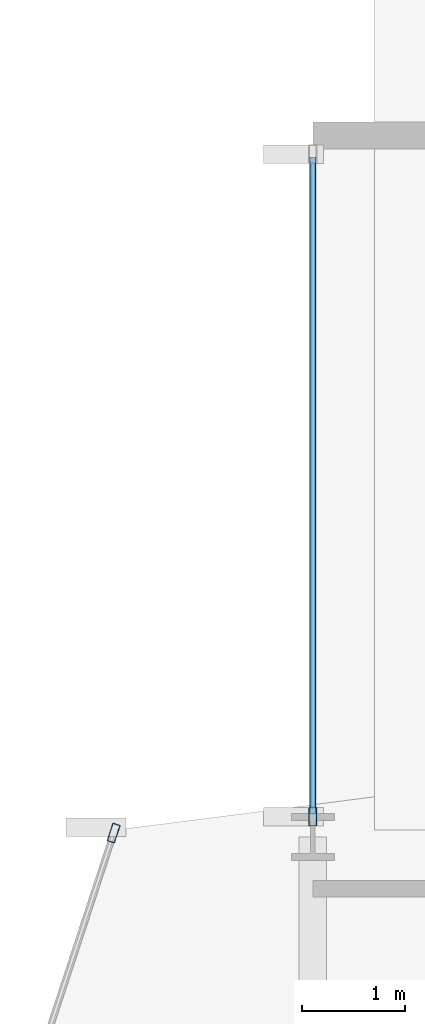
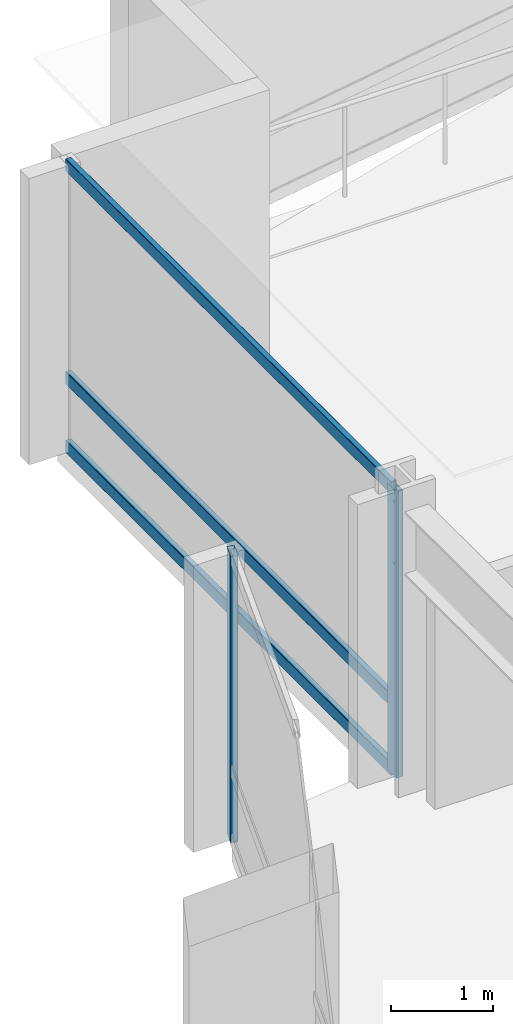
# One storey, part 16 of 28: 5 members, 2 elements without a shape of their own.
"""IFC4 building model written with IfcOpenShell, lengths in metres."""

from ifc_helpers import new_model, si_unit, direction, frame, origin, origin_2d, place, context, subcontext, project, spatial, hollow_rectangle, extrude, material, layer, layer_set, material_profile, profile_set, type_object, element, aggregate, save


model = new_model("IFC4")

# Units and contexts
model_context = context("Model", 3, precision=1e-05, world=origin(), true_north=direction((0.0, 1.0)))
body_context = subcontext(model_context, "Body", "Model", "MODEL_VIEW")
ifc_project = project(units=[si_unit("LENGTHUNIT", "METRE"), si_unit("AREAUNIT", "SQUARE_METRE"), si_unit("VOLUMEUNIT", "CUBIC_METRE"), si_unit("PLANEANGLEUNIT", "RADIAN"), si_unit("MASSUNIT", "GRAM", prefix="KILO")], contexts=[model_context])

# Site, building, storey
site_placement = place(None, origin())
site = spatial("IfcSite", under=ifc_project, at=site_placement, CompositionType="ELEMENT")
building_placement = place(site_placement, origin())
building = spatial("IfcBuilding", under=site, at=building_placement, Name="Solvaryn Broadcast Tower", CompositionType="ELEMENT")
storey_placement = place(building_placement, frame((0.0, 0.0, 110.0)))
storey = spatial("IfcBuildingStorey", under=building, at=storey_placement, Name="L26", CompositionType="ELEMENT", Elevation=110.0)

# Curtain wall, member
ifc_material_1 = material(Name="Aluminium and Terracotta Unitised Curtain Wall", Category="masonry")
ifc_layer = layer(ifc_material_1, 0.199951171875)
ifc_layer_set = layer_set([ifc_layer], Name="CW-SYS2-LOWMID")
curtain_wall_type = type_object("IfcCurtainWallType", Name="CW-SYS2-LOWMID", PredefinedType="NOTDEFINED", material=ifc_layer_set)
curtain_wall_1_placement = place(storey_placement, origin())
curtain_wall_1 = element("IfcCurtainWall", 1, at=curtain_wall_1_placement, inside=storey, type_object=curtain_wall_type, Name="L26 Curtain Wall DR1", PredefinedType="NOTDEFINED")
ifc_material_2 = material(Name="Anodised Aluminium 6063-T6", Category="aluminium")
ifc_material_profile_1 = material_profile(ifc_material_2, hollow_rectangle(XDim=0.074951171875, YDim=0.179931640625, WallThickness=0.00390625, InnerFilletRadius=0.00390625, OuterFilletRadius=0.008056640625, at=origin_2d()))
ifc_profile_set_1 = profile_set([ifc_material_profile_1], Name="Anodised Aluminium 6063-T6")
member_type_1 = type_object("IfcMemberType", Name="CW-MUL-180", PredefinedType="MULLION", material=ifc_profile_set_1)
member_1_placement = place(storey_placement, frame((7.069580078125, 45.03857421875, 0.0), z_axis=(0.0, 0.0, 1.0), x_axis=(0.950198260794, -0.311646057547, 0.0)))
member_1 = element("IfcMember", 2, at=member_1_placement, type_object=member_type_1, Name="CWS2 mullion 1", PredefinedType="MULLION", context=body_context, shape_type="SweptSolid", body=[
    extrude(hollow_rectangle(XDim=0.074951171875, YDim=0.179931640625, WallThickness=0.00390625, InnerFilletRadius=0.00390625, OuterFilletRadius=0.008056640625, at=origin_2d()), origin(), (0.0, 0.0, 1.0), 3.419921875),
])
aggregate(curtain_wall_1, [member_1])

# Curtain wall, members
curtain_wall_2_placement = place(storey_placement, origin())
curtain_wall_2 = element("IfcCurtainWall", 3, at=curtain_wall_2_placement, inside=storey, type_object=curtain_wall_type, Name="L26 Curtain Wall W2", PredefinedType="NOTDEFINED")
member_2_placement = place(storey_placement, frame((9.0, 45.197021484375, 0.0), z_axis=(0.0, 0.0, 1.0), x_axis=(-1.0, 0.0, 0.0)))
member_2 = element("IfcMember", 4, at=member_2_placement, type_object=member_type_1, Name="CWS2 mullion 1", PredefinedType="MULLION", context=body_context, shape_type="SweptSolid", body=[
    extrude(hollow_rectangle(XDim=0.074951171875, YDim=0.179931640625, WallThickness=0.00390625, InnerFilletRadius=0.00390625, OuterFilletRadius=0.008056640625, at=origin_2d()), origin(), (0.0, 0.0, 1.0), 3.419921875),
])
ifc_material_3 = material(Name="Anodised Aluminium 6063-T6", Category="aluminium")
ifc_material_profile_2 = material_profile(ifc_material_3, hollow_rectangle(XDim=0.06494140625, YDim=0.14990234375, WallThickness=0.00390625, InnerFilletRadius=0.00390625, OuterFilletRadius=0.008056640625, at=origin_2d()))
ifc_profile_set_2 = profile_set([ifc_material_profile_2], Name="Anodised Aluminium 6063-T6")
member_type_2 = type_object("IfcMemberType", Name="CW-TRN-150", PredefinedType="USERDEFINED", material=ifc_profile_set_2)
member_3_placement = place(storey_placement, frame((9.0, 45.22705078125, 0.030029296875), z_axis=(0.0, 1.0, 0.0), x_axis=(-1.0, 0.0, 0.0)))
member_3 = element("IfcMember", 5, at=member_3_placement, type_object=member_type_2, Name="CWS2 transom 1.1", ObjectType="TRANSOM", PredefinedType="USERDEFINED", context=body_context, shape_type="SweptSolid", body=[
    extrude(hollow_rectangle(XDim=0.06494140625, YDim=0.14990234375, WallThickness=0.00390625, InnerFilletRadius=0.00390625, OuterFilletRadius=0.008056640625, at=origin_2d()), origin(), (0.0, 0.0, 1.0), 6.363037109375),
])
member_4_placement = place(storey_placement, frame((9.0, 45.22705078125, 0.85009765625), z_axis=(0.0, 1.0, 0.0), x_axis=(-1.0, 0.0, 0.0)))
member_4 = element("IfcMember", 6, at=member_4_placement, type_object=member_type_2, Name="CWS2 transom 1.2", ObjectType="TRANSOM", PredefinedType="USERDEFINED", context=body_context, shape_type="SweptSolid", body=[
    extrude(hollow_rectangle(XDim=0.06494140625, YDim=0.14990234375, WallThickness=0.00390625, InnerFilletRadius=0.00390625, OuterFilletRadius=0.008056640625, at=origin_2d()), origin(), (0.0, 0.0, 1.0), 6.363037109375),
])
member_5_placement = place(storey_placement, frame((9.0, 45.22705078125, 3.389892578125), z_axis=(0.0, 1.0, 0.0), x_axis=(-1.0, 0.0, 0.0)))
member_5 = element("IfcMember", 7, at=member_5_placement, type_object=member_type_2, Name="CWS2 transom 1.3", ObjectType="TRANSOM", PredefinedType="USERDEFINED", context=body_context, shape_type="SweptSolid", body=[
    extrude(hollow_rectangle(XDim=0.06494140625, YDim=0.14990234375, WallThickness=0.00390625, InnerFilletRadius=0.00390625, OuterFilletRadius=0.008056640625, at=origin_2d()), origin(), (0.0, 0.0, 1.0), 6.363037109375),
])
aggregate(curtain_wall_2, [member_2, member_3, member_4, member_5])

save(model, "model.ifc")
